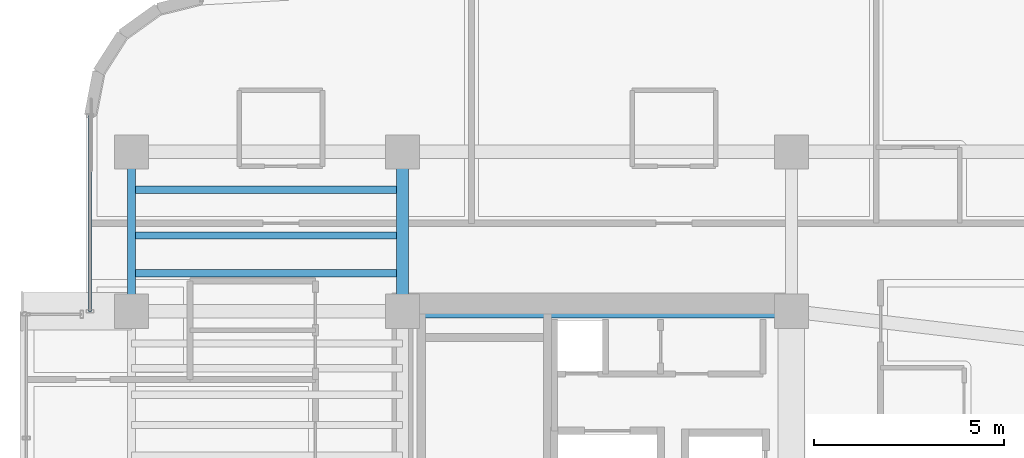
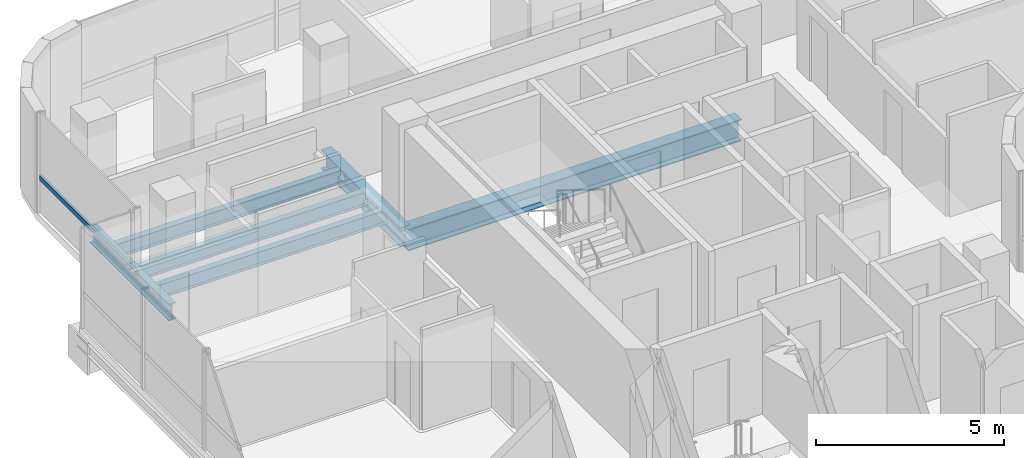
# One storey, part 8 of 22: 6 beams, 1 member, 1 element without a shape of its own.
"""IFC4 building model written with IfcOpenShell, lengths in metres."""

from ifc_helpers import new_model, si_unit, direction, frame, origin, origin_2d, place, context, subcontext, project, spatial, hollow_rectangle, i_section, extrude, source, transform, mapped, material, material_profile, profile_set, type_object, element, aggregate, save


model = new_model("IFC4")

# Units and contexts
model_context = context("Model", 3, precision=1e-05, world=origin(), true_north=direction((0.0, 1.0)))
body_context = subcontext(model_context, "Body", "Model", "MODEL_VIEW")
ifc_project = project(units=[si_unit("LENGTHUNIT", "METRE"), si_unit("AREAUNIT", "SQUARE_METRE"), si_unit("VOLUMEUNIT", "CUBIC_METRE"), si_unit("PLANEANGLEUNIT", "RADIAN"), si_unit("MASSUNIT", "GRAM", prefix="KILO")], contexts=[model_context])

# Site, building, storey
site_placement = place(None, origin())
site = spatial("IfcSite", under=ifc_project, at=site_placement, CompositionType="ELEMENT")
building_placement = place(site_placement, origin())
building = spatial("IfcBuilding", under=site, at=building_placement, Name="Valdorenza Pilgrim Sanctuary Tower", CompositionType="ELEMENT")
storey_placement = place(building_placement, frame((0.0, 0.0, 212.5)))
storey = spatial("IfcBuildingStorey", under=building, at=storey_placement, Name="L54", CompositionType="ELEMENT", Elevation=212.5)

# Beams
ifc_material_1 = material(Name="Steel ASTM A992 Grade 50", Category="steel")
ifc_material_profile_1 = material_profile(ifc_material_1, i_section(OverallWidth=0.323974609375, OverallDepth=0.611083984375, WebThickness=0.0126953125, FlangeThickness=0.01904296875, at=origin_2d()), Name="W24X104")
ifc_profile_set_1 = profile_set([ifc_material_profile_1], Name="Steel ASTM A992 Grade 50")
beam_type_1 = type_object("IfcBeamType", Name="STR-BM-GRD-W24B", PredefinedType="BEAM", material=ifc_profile_set_1)
shared_shape_1 = source(origin(), body_context, "Body", "SweptSolid", [
    extrude(i_section(OverallWidth=0.323974609375, OverallDepth=0.611083984375, WebThickness=0.0126953125, FlangeThickness=0.01904296875, at=origin_2d()), origin(), (0.0, 0.0, 1.0), 4.199951171875),
])
beam_1_placement = place(storey_placement, frame((-22.64990234375, 10.60009765625, -0.54541015625), z_axis=(0.0, 1.0, 0.0), x_axis=(-1.0, 0.0, 0.0)))
element("IfcBeam", 1, at=beam_1_placement, inside=storey, type_object=beam_type_1, Name="L54 Core Tie Girder CA-W-N1N2", PredefinedType="BEAM", context=body_context, shape_type="MappedRepresentation", body=[
    mapped(shared_shape_1, transform((0.0, 0.0, 0.0), x_axis=(1.0, 0.0, 0.0), y_axis=(0.0, 1.0, 0.0), z_axis=(0.0, 0.0, 1.0), scale=1.0)),
])
ifc_material_profile_2 = material_profile(ifc_material_1, i_section(OverallWidth=0.19091796875, OverallDepth=0.45703125, WebThickness=0.009033203125, FlangeThickness=0.014404296875, at=origin_2d()), Name="W18X50")
ifc_profile_set_2 = profile_set([ifc_material_profile_2], Name="Steel ASTM A992 Grade 50")
beam_type_2 = type_object("IfcBeamType", Name="STR-BM-JST-W18B", PredefinedType="JOIST", material=ifc_profile_set_2)
shared_shape_2 = source(origin(), body_context, "Body", "SweptSolid", [
    extrude(i_section(OverallWidth=0.19091796875, OverallDepth=0.45703125, WebThickness=0.009033203125, FlangeThickness=0.014404296875, at=origin_2d()), origin(), (0.0, 0.0, 1.0), 7.150146484375),
])
for number, where, z_axis, x_axis, name in (
    (2, (-29.800048828125, 11.60009765625, -0.468505859375), (1.0, 0.0, 0.0), (0.0, 1.0, 0.0), "L54 Composite Floor Joist JST-WA-24"),
    (3, (-29.800048828125, 12.60009765625, -0.468505859375), (1.0, 0.0, 0.0), (0.0, 1.0, 0.0), "L54 Composite Floor Joist JST-WA-25"),
    (4, (-29.800048828125, 13.800048828125, -0.468505859375), (1.0, 0.0, 0.0), (0.0, 1.0, 0.0), "L54 Composite Floor Joist JST-WA-26"),
):
    element("IfcBeam", number, at=place(storey_placement, frame(where, z_axis=z_axis, x_axis=x_axis)), inside=storey, type_object=beam_type_2, Name=name, PredefinedType="JOIST", context=body_context, shape_type="MappedRepresentation", body=[
        mapped(shared_shape_2, transform((0.0, 0.0, 0.0), x_axis=(1.0, 0.0, 0.0), y_axis=(0.0, 1.0, 0.0), z_axis=(0.0, 0.0, 1.0), scale=1.0)),
    ])
ifc_material_profile_3 = material_profile(ifc_material_1, i_section(OverallWidth=0.2109375, OverallDepth=0.5390625, WebThickness=0.01171875, FlangeThickness=0.018798828125, at=origin_2d()), Name="W21X73")
ifc_profile_set_3 = profile_set([ifc_material_profile_3], Name="Steel ASTM A992 Grade 50")
beam_type_3 = type_object("IfcBeamType", Name="STR-BM-SPN-W21B", PredefinedType="SPANDREL", material=ifc_profile_set_3)
shared_shape_3 = source(origin(), body_context, "Body", "SweptSolid", [
    extrude(i_section(OverallWidth=0.2109375, OverallDepth=0.5390625, WebThickness=0.01171875, FlangeThickness=0.018798828125, at=origin_2d()), origin(), (0.0, 0.0, 1.0), 4.199951171875),
])
beam_2_placement = place(storey_placement, frame((-29.800048828125, 10.60009765625, -0.509521484375), z_axis=(0.0, 1.0, 0.0), x_axis=(-1.0, 0.0, 0.0)))
element("IfcBeam", 5, at=beam_2_placement, inside=storey, type_object=beam_type_3, Name="L54 Spandrel Beam WA-W-N1N2", PredefinedType="SPANDREL", context=body_context, shape_type="MappedRepresentation", body=[
    mapped(shared_shape_3, transform((0.0, 0.0, 0.0), x_axis=(1.0, 0.0, 0.0), y_axis=(0.0, 1.0, 0.0), z_axis=(0.0, 0.0, 1.0), scale=1.0)),
])
ifc_material_profile_4 = material_profile(ifc_material_1, i_section(OverallWidth=0.35595703125, OverallDepth=0.700927734375, WebThickness=0.016845703125, FlangeThickness=0.02734375, at=origin_2d()), Name="W27X161")
ifc_profile_set_4 = profile_set([ifc_material_profile_4], Name="Steel ASTM A992 Grade 50")
beam_type_4 = type_object("IfcBeamType", Name="STR-BM-GRD-W27", PredefinedType="BEAM", material=ifc_profile_set_4)
shared_shape_4 = source(origin(), body_context, "Body", "SweptSolid", [
    extrude(i_section(OverallWidth=0.35595703125, OverallDepth=0.700927734375, WebThickness=0.016845703125, FlangeThickness=0.02734375, at=origin_2d()), origin(), (0.0, 0.0, 1.0), 10.25),
])
beam_3_placement = place(storey_placement, frame((-22.64990234375, 10.60009765625, -0.590576171875), z_axis=(1.0, 0.0, 0.0), x_axis=(0.0, 1.0, 0.0)))
element("IfcBeam", 6, at=beam_3_placement, inside=storey, type_object=beam_type_4, Name="L54 Floor Girder CA-XC-N1", PredefinedType="BEAM", context=body_context, shape_type="MappedRepresentation", body=[
    mapped(shared_shape_4, transform((0.0, 0.0, 0.0), x_axis=(1.0, 0.0, 0.0), y_axis=(0.0, 1.0, 0.0), z_axis=(0.0, 0.0, 1.0), scale=1.0)),
])

# Curtain wall, member
ifc_material_2 = material(Name="Curtain-wall IGU glazing", Category="glass")
curtain_wall_type = type_object("IfcCurtainWallType", Name="CW-SYS-02", PredefinedType="NOTDEFINED", material=ifc_material_2)
curtain_wall_placement = place(storey_placement, origin())
curtain_wall = element("IfcCurtainWall", 7, at=curtain_wall_placement, inside=storey, type_object=curtain_wall_type, Name="L54 Curtain Wall CW-L54-1-1S2", PredefinedType="NOTDEFINED")
ifc_material_3 = material(Name="Anodised aluminium AW-6060", Category="aluminium")
ifc_material_profile_5 = material_profile(ifc_material_3, hollow_rectangle(XDim=0.074951171875, YDim=0.14990234375, WallThickness=0.00390625, at=origin_2d()), Name="ALU-T 150x75x4")
ifc_profile_set_5 = profile_set([ifc_material_profile_5], Name="Anodised aluminium AW-6060")
member_type = type_object("IfcMemberType", Name="CW-TRN-02", PredefinedType="USERDEFINED", material=ifc_profile_set_5)
shared_shape_5 = source(origin(), body_context, "Body", "SweptSolid", [
    extrude(hollow_rectangle(XDim=0.074951171875, YDim=0.14990234375, WallThickness=0.00390625, at=origin_2d()), origin(), (0.0, 0.0, 1.0), 5.157470703125),
])
member_placement = place(storey_placement, frame((-30.889892578125, 10.60009765625, 1.1201171875), z_axis=(0.0, 1.0, 0.0), x_axis=(-1.0, 0.0, 0.0)))
member = element("IfcMember", 8, at=member_placement, type_object=member_type, Name="CW-L54-1-1S2 Transom 1", ObjectType="TRANSOM", PredefinedType="USERDEFINED", context=body_context, shape_type="MappedRepresentation", body=[
    mapped(shared_shape_5, transform((0.0, 0.0, 0.0), x_axis=(1.0, 0.0, 0.0), y_axis=(0.0, 1.0, 0.0), z_axis=(0.0, 0.0, 1.0), scale=1.0)),
])
aggregate(curtain_wall, [member])

save(model, "model.ifc")
